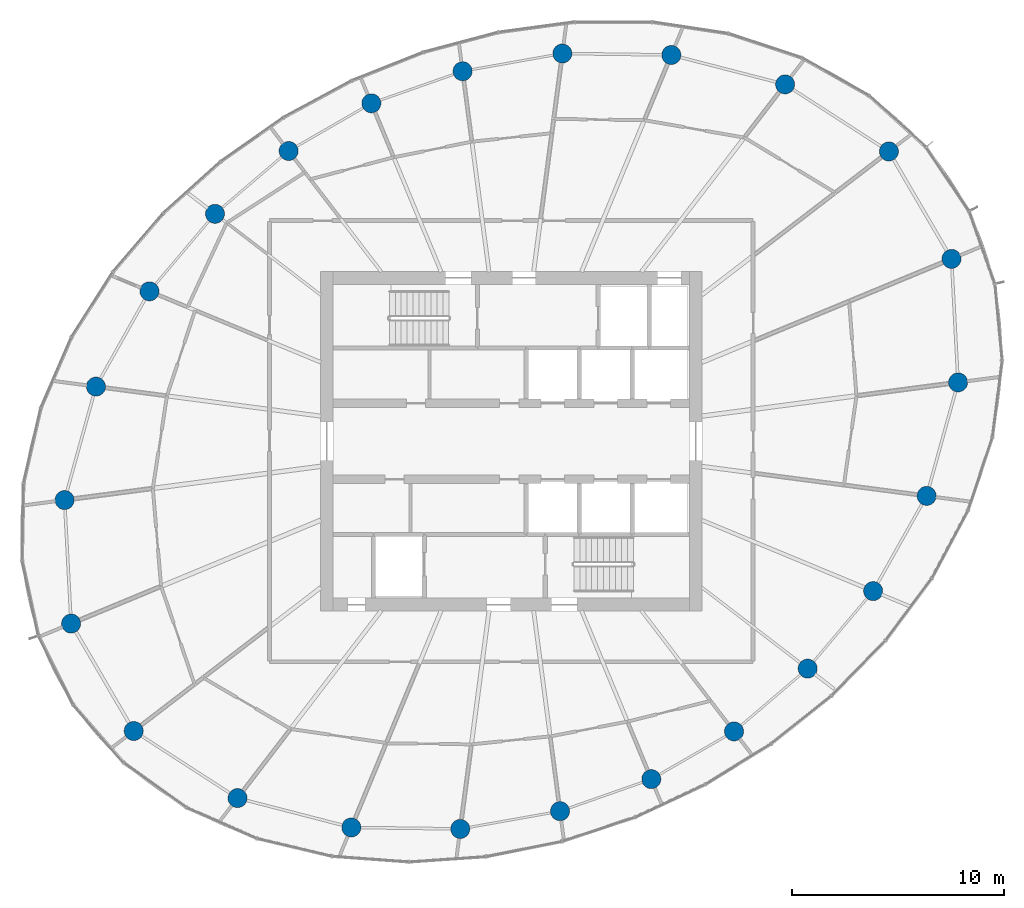
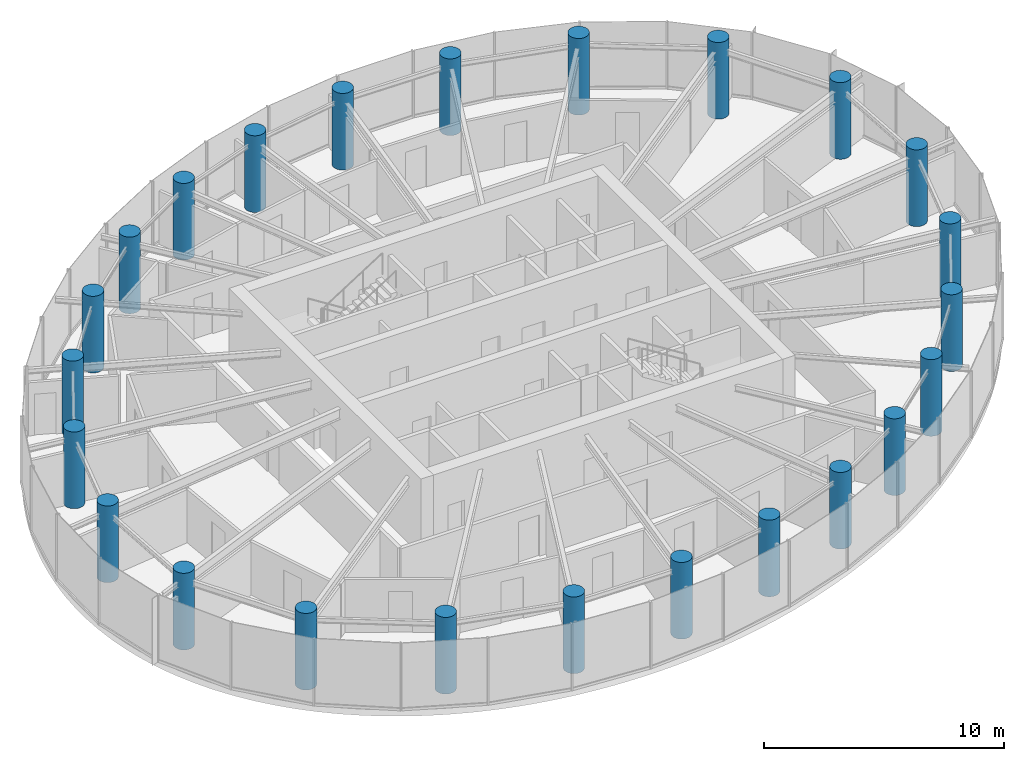
# One storey, part 1 of 14: 24 columns.
"""IFC4 building model written with IfcOpenShell, lengths in metres."""

from ifc_helpers import new_model, si_unit, direction, frame, origin, origin_2d, place, context, subcontext, project, spatial, circle, extrude, source, transform, mapped, material, material_profile, profile_set, type_object, element, save


model = new_model("IFC4")

# Units and contexts
model_context = context("Model", 3, precision=1e-05, world=origin(), true_north=direction((0.0, 1.0)))
body_context = subcontext(model_context, "Body", "Model", "MODEL_VIEW")
ifc_project = project(units=[si_unit("LENGTHUNIT", "METRE"), si_unit("AREAUNIT", "SQUARE_METRE"), si_unit("VOLUMEUNIT", "CUBIC_METRE"), si_unit("PLANEANGLEUNIT", "RADIAN"), si_unit("MASSUNIT", "GRAM", prefix="KILO")], contexts=[model_context])

# Site, building, storey
site_placement = place(None, origin())
site = spatial("IfcSite", under=ifc_project, at=site_placement, CompositionType="ELEMENT")
building_placement = place(site_placement, origin())
building = spatial("IfcBuilding", under=site, at=building_placement, Name="Spindrift Exchange Tower", CompositionType="ELEMENT")
storey_placement = place(building_placement, frame((0.0, 0.0, 226.699951171875)))
storey = spatial("IfcBuildingStorey", under=building, at=storey_placement, Name="L55", CompositionType="ELEMENT", Elevation=226.699951171875)

# Columns
ifc_material = material(Name="Concrete 50 MPa", Category="concrete")
ifc_material_profile = material_profile(ifc_material, circle(Radius=0.449951171875, at=origin_2d()), Name="RC D900")
ifc_profile_set = profile_set([ifc_material_profile], Name="Concrete 50 MPa")
column_type = type_object("IfcColumnType", Name="RC Perimeter Column D900 Concrete 50 MPa", PredefinedType="COLUMN", material=ifc_profile_set)
shared_shape = source(origin(), body_context, "Body", "SweptSolid", [
    extrude(circle(Radius=0.449951171875, at=origin_2d()), origin(), (0.0, 0.0, 1.0), 3.900146484375),
])
for number, where, z_axis, x_axis, name in (
    (1, (73.062255859375, 50.77294921875, 0.0), (0.0, 0.0, 1.0), (1.0, 0.0, 0.0), "Perimeter column P4-01 L55"),
    (2, (72.753173828125, 56.59619140625, 0.0), (0.0, 0.0, 1.0), (1.0, 0.0, 0.0), "Perimeter column P4-02 L55"),
    (3, (69.802001953125, 61.659912109375, 0.0), (0.0, 0.0, 1.0), (1.0, 0.0, 0.0), "Perimeter column P4-03 L55"),
    (4, (64.90869140625, 64.822998046875, 0.0), (0.0, 0.0, 1.0), (1.0, 0.0, 0.0), "Perimeter column P4-04 L55"),
    (5, (59.542724609375, 66.209716796875, 0.0), (0.0, 0.0, 1.0), (1.0, 0.0, 0.0), "Perimeter column P4-05 L55"),
    (6, (54.406494140625, 66.2783203125, 0.0), (0.0, 0.0, 1.0), (1.0, 0.0, 0.0), "Perimeter column P4-06 L55"),
    (7, (49.70361328125, 65.4423828125, 0.0), (0.0, 0.0, 1.0), (1.0, 0.0, 0.0), "Perimeter column P4-07 L55"),
    (8, (45.40087890625, 63.931396484375, 0.0), (0.0, 0.0, 1.0), (1.0, 0.0, 0.0), "Perimeter column P4-08 L55"),
    (9, (41.500732421875, 61.68310546875, 0.0), (0.0, 0.0, 1.0), (1.0, 0.0, 0.0), "Perimeter column P4-09 L55"),
    (10, (38.029052734375, 58.72021484375, 0.0), (0.0, 0.0, 1.0), (1.0, 0.0, 0.0), "Perimeter column P4-10 L55"),
    (11, (34.940673828125, 55.066162109375, 0.0), (0.0, 0.0, 1.0), (1.0, 0.0, 0.0), "Perimeter column P4-11 L55"),
    (12, (32.4189453125, 50.577880859375, 0.0), (0.0, 0.0, 1.0), (1.0, 0.0, 0.0), "Perimeter column P4-12 L55"),
    (13, (30.937744140625, 45.22705078125, 0.0), (0.0, 0.0, 1.0), (1.0, 0.0, 0.0), "Perimeter column P4-13 L55"),
    (14, (31.246826171875, 39.40380859375, 0.0), (0.0, 0.0, 1.0), (1.0, 0.0, 0.0), "Perimeter column P4-14 L55"),
    (15, (34.197998046875, 34.340087890625, 0.0), (0.0, 0.0, 1.0), (1.0, 0.0, 0.0), "Perimeter column P4-15 L55"),
    (16, (39.09130859375, 31.177001953125, 0.0), (0.0, 0.0, 1.0), (1.0, 0.0, 0.0), "Perimeter column P4-16 L55"),
    (17, (44.457275390625, 29.790283203125, 0.0), (0.0, 0.0, 1.0), (1.0, 0.0, 0.0), "Perimeter column P4-17 L55"),
    (18, (49.593505859375, 29.7216796875, 0.0), (0.0, 0.0, 1.0), (1.0, 0.0, 0.0), "Perimeter column P4-18 L55"),
    (19, (54.29638671875, 30.5576171875, 0.0), (0.0, 0.0, 1.0), (1.0, 0.0, 0.0), "Perimeter column P4-19 L55"),
    (20, (58.59912109375, 32.068603515625, 0.0), (0.0, 0.0, 1.0), (1.0, 0.0, 0.0), "Perimeter column P4-20 L55"),
    (21, (62.499267578125, 34.31689453125, 0.0), (0.0, 0.0, 1.0), (1.0, 0.0, 0.0), "Perimeter column P4-21 L55"),
    (22, (65.970947265625, 37.27978515625, 0.0), (0.0, 0.0, 1.0), (1.0, 0.0, 0.0), "Perimeter column P4-22 L55"),
    (23, (69.059326171875, 40.933837890625, 0.0), (0.0, 0.0, 1.0), (1.0, 0.0, 0.0), "Perimeter column P4-23 L55"),
    (24, (71.5810546875, 45.422119140625, 0.0), (0.0, 0.0, 1.0), (1.0, 0.0, 0.0), "Perimeter column P4-24 L55"),
):
    element("IfcColumn", number, at=place(storey_placement, frame(where, z_axis=z_axis, x_axis=x_axis)), inside=storey, type_object=column_type, Name=name, PredefinedType="COLUMN", context=body_context, shape_type="MappedRepresentation", body=[
        mapped(shared_shape, transform((0.0, 0.0, 0.0), scale=1.0)),
    ])

save(model, "model.ifc")
